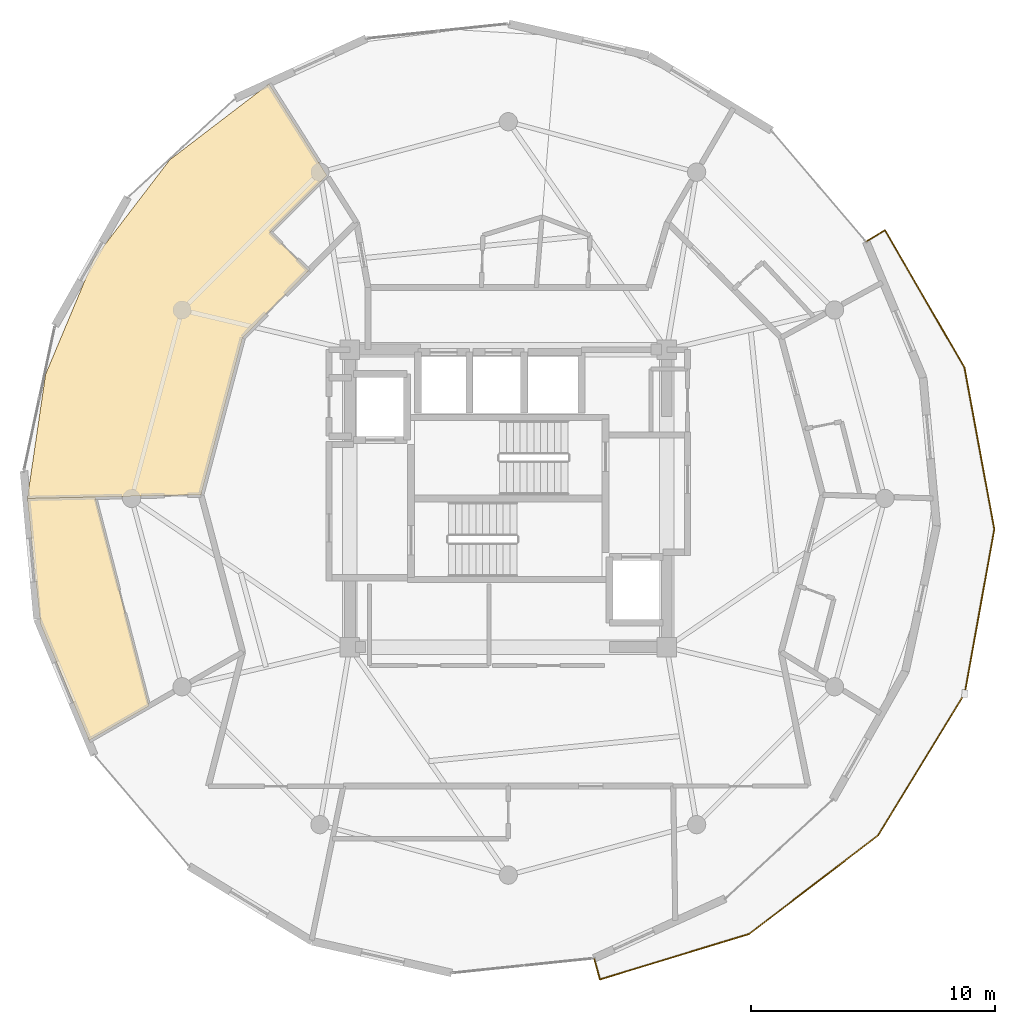
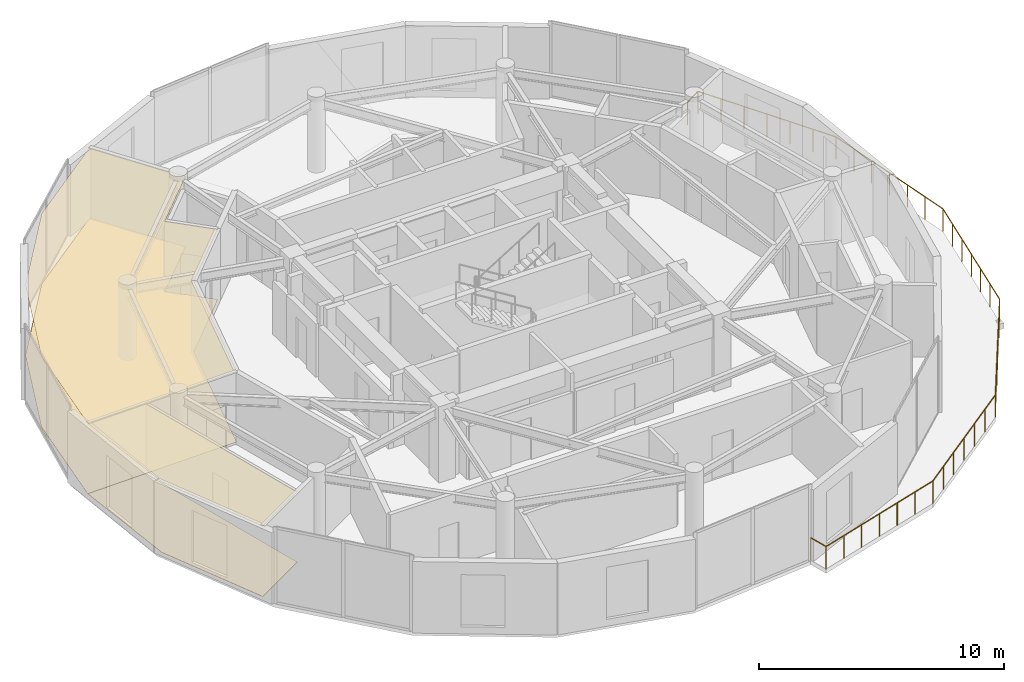
# One storey, part 21 of 22: 4 coverings, 1 railing.
"""IFC4 building model written with IfcOpenShell, lengths in metres."""

from ifc_helpers import new_model, si_unit, direction, frame, origin, origin_2d, place, context, subcontext, project, spatial, polyline, circle, outline, extrude, material, layer, layer_set, type_object, element, save


model = new_model("IFC4")

# Units and contexts
model_context = context("Model", 3, precision=1e-05, world=origin(), true_north=direction((0.0, 1.0)))
body_context = subcontext(model_context, "Body", "Model", "MODEL_VIEW")
ifc_project = project(units=[si_unit("LENGTHUNIT", "METRE"), si_unit("AREAUNIT", "SQUARE_METRE"), si_unit("VOLUMEUNIT", "CUBIC_METRE"), si_unit("PLANEANGLEUNIT", "RADIAN"), si_unit("MASSUNIT", "GRAM", prefix="KILO")], contexts=[model_context])

# Site, building, storey
site_placement = place(None, origin())
site = spatial("IfcSite", under=ifc_project, at=site_placement, CompositionType="ELEMENT")
building_placement = place(site_placement, origin())
building = spatial("IfcBuilding", under=site, at=building_placement, Name="Solvirekh Grand Hotel", CompositionType="ELEMENT")
storey_placement = place(building_placement, frame((0.0, 0.0, 289.60009765625)))
storey = spatial("IfcBuildingStorey", under=building, at=storey_placement, Name="L75", CompositionType="ELEMENT", Elevation=289.60009765625)

# Coverings
ifc_material_1 = material(Name="Acoustic Mineral Ceiling Tile")
ifc_layer_1 = layer(ifc_material_1, 0.02490234375)
ifc_layer_set_1 = layer_set([ifc_layer_1], Name="Acoustic Mineral Ceiling Tile")
covering_type_1 = type_object("IfcCoveringType", Name="Cov_Ceiling_Acoustic", PredefinedType="CEILING", material=ifc_layer_set_1)
covering_1_placement = place(storey_placement, frame((0.0, 0.0, 3.52001953125)))
element("IfcCovering", 1, at=covering_1_placement, inside=storey, type_object=covering_type_1, Name="L75 Diplomatic Suite 7703 Living Room acoustic ceiling", PredefinedType="CEILING", context=body_context, shape_type="SweptSolid", body=[
    extrude(outline(polyline([(-9.764892578125, 10.9169921875), (-7.445068359375, 13.251953125), (-9.81396484375, 16.998046875), (-13.884033203125, 13.884033203125), (-16.9970703125, 9.81298828125), (-18.97705078125, 5.0849609375), (-19.722900390625, 0.0), (-12.60009765625, 0.14990234375), (-10.89208984375, 6.60009765625), (-8.18505859375, 9.339111328125), (-9.764892578125, 10.9169921875)])), origin(), (0.0, 0.0, 1.0), 0.017822265625),
])
covering_2_placement = place(storey_placement, frame((0.0, 0.0, 3.52001953125)))
element("IfcCovering", 2, at=covering_2_placement, inside=storey, type_object=covering_type_1, Name="L75 Diplomatic Suite 7703 Master Bedroom acoustic ceiling", PredefinedType="CEILING", context=body_context, shape_type="SweptSolid", body=[
    extrude(outline(polyline([(-19.722900390625, 0.0), (-19.18701171875, -5.14111328125), (-17.18896484375, -9.924072265625), (-14.73291015625, -8.510986328125), (-16.945068359375, 0.05810546875), (-19.722900390625, 0.0)])), origin(), (0.0, 0.0, 1.0), 0.017822265625),
])
ifc_material_2 = material(Name="Porcelain Stoneware Flooring", Category="masonry")
ifc_layer_2 = layer(ifc_material_2, 0.030029296875)
ifc_layer_set_2 = layer_set([ifc_layer_2], Name="Porcelain Stoneware Flooring")
covering_type_2 = type_object("IfcCoveringType", Name="Cov_Floor_Stone", PredefinedType="FLOORING", material=ifc_layer_set_2)
covering_3_placement = place(storey_placement, origin())
element("IfcCovering", 3, at=covering_3_placement, inside=storey, type_object=covering_type_2, Name="L75 Diplomatic Suite 7703 Living Room polished granite flooring", PredefinedType="FLOORING", context=body_context, shape_type="SweptSolid", body=[
    extrude(outline(polyline([(-9.764892578125, 10.9169921875), (-7.445068359375, 13.251953125), (-9.81396484375, 16.998046875), (-13.884033203125, 13.884033203125), (-16.9970703125, 9.81298828125), (-18.97705078125, 5.0849609375), (-19.722900390625, 0.0), (-12.60009765625, 0.14990234375), (-10.89208984375, 6.60009765625), (-8.18505859375, 9.339111328125), (-9.764892578125, 10.9169921875)])), origin(), (0.0, 0.0, 1.0), 0.02001953125),
])
covering_4_placement = place(storey_placement, origin())
element("IfcCovering", 4, at=covering_4_placement, inside=storey, type_object=covering_type_2, Name="L75 Diplomatic Suite 7703 Master Bedroom polished granite flooring", PredefinedType="FLOORING", context=body_context, shape_type="SweptSolid", body=[
    extrude(outline(polyline([(-19.722900390625, 0.0), (-19.18701171875, -5.14111328125), (-17.18896484375, -9.924072265625), (-14.73291015625, -8.510986328125), (-16.945068359375, 0.05810546875), (-19.722900390625, 0.0)])), origin(), (0.0, 0.0, 1.0), 0.02001953125),
])

# Railing
ifc_material_3 = material(Name="Anodized Bronze Aluminium 6063-T6", Category="aluminium")
railing_type = type_object("IfcRailingType", Name="Guard_ExtGlass_1150", PredefinedType="BALUSTRADE", material=ifc_material_3)
railing_placement = place(storey_placement, frame((3.52099609375, -18.860107421875, 0.0)))
element("IfcRailing", 5, at=railing_placement, inside=storey, type_object=railing_type, Name="L75 balc perimeter glass balustrade", PredefinedType="BALUSTRADE", context=body_context, shape_type="SweptSolid", body=[
    extrude(circle(Radius=0.02392578125, at=origin_2d()), frame((0.0, 0.0, 1.1259765625), z_axis=(0.262474263469, -0.964938993417, 0.0), x_axis=(0.964938993417, 0.262474263469, 0.0)), (0.0, 0.0, 1.0), 0.8994140625),
    extrude(circle(Radius=0.02392578125, at=origin_2d()), frame((0.236083984375, -0.867919921875, 1.1259765625), z_axis=(0.956657231916, 0.291216312426, 0.0), x_axis=(-0.291216312426, 0.956657231916, 0.0)), (0.0, 0.0, 1.0), 6.39404296875),
    extrude(circle(Radius=0.02392578125, at=origin_2d()), frame((6.35302734375, 0.994140625, 1.1259765625), z_axis=(0.794599258003, 0.607134267837, 0.0), x_axis=(-0.607134267837, 0.794599258003, 0.0)), (0.0, 0.0, 1.0), 6.657470703125),
    extrude(circle(Radius=0.02392578125, at=origin_2d()), frame((11.64306640625, 5.0361328125, 1.1259765625), z_axis=(0.521531138608, 0.853232249427, 0.0), x_axis=(-0.853232249427, 0.521531138608, 0.0)), (0.0, 0.0, 1.0), 6.81640625),
    extrude(circle(Radius=0.02392578125, at=origin_2d()), frame((15.197998046875, 10.85205078125, 1.1259765625), z_axis=(0.177395354492, 0.984139669053, 0.0), x_axis=(-0.984139669053, 0.177395354492, 0.0)), (0.0, 0.0, 1.0), 6.849609375),
    extrude(circle(Radius=0.02392578125, at=origin_2d()), frame((16.4130859375, 17.593017578125, 1.1259765625), z_axis=(-0.181483936155, 0.983393909335, 0.0), x_axis=(-0.983393909335, -0.181483936155, 0.0)), (0.0, 0.0, 1.0), 6.7451171875),
    extrude(circle(Radius=0.02392578125, at=origin_2d()), frame((15.18896484375, 24.22607421875, 1.1259765625), z_axis=(-0.501101299434, 0.865388633913, 0.0), x_axis=(-0.865388633913, -0.501101299434, 0.0)), (0.0, 0.0, 1.0), 6.511474609375),
    extrude(circle(Radius=0.02392578125, at=origin_2d()), frame((11.926025390625, 29.861083984375, 1.1259765625), z_axis=(-0.85298680116, -0.521932483227, 0.0), x_axis=(0.521932483227, -0.85298680116, 0.0)), (0.0, 0.0, 1.0), 0.900390625),
    extrude(circle(Radius=0.02099609375, at=origin_2d()), origin(), (0.0, 0.0, 1.0), 1.101806640625),
    extrude(circle(Radius=0.02099609375, at=origin_2d()), frame((0.236083984375, -0.867919921875, 0.0)), (0.0, 0.0, 1.0), 1.101806640625),
    extrude(circle(Radius=0.02099609375, at=origin_2d()), frame((1.255615234375, -0.5576171875, 0.0)), (0.0, 0.0, 1.0), 1.101806640625),
    extrude(circle(Radius=0.02099609375, at=origin_2d()), frame((2.275146484375, -0.247314453125, 0.0)), (0.0, 0.0, 1.0), 1.101806640625),
    extrude(circle(Radius=0.02099609375, at=origin_2d()), frame((3.29443359375, 0.06298828125, 0.0)), (0.0, 0.0, 1.0), 1.101806640625),
    extrude(circle(Radius=0.02099609375, at=origin_2d()), frame((4.31396484375, 0.37353515625, 0.0)), (0.0, 0.0, 1.0), 1.101806640625),
    extrude(circle(Radius=0.02099609375, at=origin_2d()), frame((5.33349609375, 0.683837890625, 0.0)), (0.0, 0.0, 1.0), 1.101806640625),
    extrude(circle(Radius=0.02099609375, at=origin_2d()), frame((6.35302734375, 0.994140625, 0.0)), (0.0, 0.0, 1.0), 1.101806640625),
    extrude(circle(Radius=0.02099609375, at=origin_2d()), frame((7.234619140625, 1.667724609375, 0.0)), (0.0, 0.0, 1.0), 1.101806640625),
    extrude(circle(Radius=0.02099609375, at=origin_2d()), frame((8.116455078125, 2.341552734375, 0.0)), (0.0, 0.0, 1.0), 1.101806640625),
    extrude(circle(Radius=0.02099609375, at=origin_2d()), frame((8.998046875, 3.01513671875, 0.0)), (0.0, 0.0, 1.0), 1.101806640625),
    extrude(circle(Radius=0.02099609375, at=origin_2d()), frame((9.879638671875, 3.688720703125, 0.0)), (0.0, 0.0, 1.0), 1.101806640625),
    extrude(circle(Radius=0.02099609375, at=origin_2d()), frame((10.761474609375, 4.362548828125, 0.0)), (0.0, 0.0, 1.0), 1.101806640625),
    extrude(circle(Radius=0.02099609375, at=origin_2d()), frame((11.64306640625, 5.0361328125, 0.0)), (0.0, 0.0, 1.0), 1.101806640625),
    extrude(circle(Radius=0.02099609375, at=origin_2d()), frame((12.235595703125, 6.00537109375, 0.0)), (0.0, 0.0, 1.0), 1.101806640625),
    extrude(circle(Radius=0.02099609375, at=origin_2d()), frame((12.828125, 6.974853515625, 0.0)), (0.0, 0.0, 1.0), 1.101806640625),
    extrude(circle(Radius=0.02099609375, at=origin_2d()), frame((13.42041015625, 7.944091796875, 0.0)), (0.0, 0.0, 1.0), 1.101806640625),
    extrude(circle(Radius=0.02099609375, at=origin_2d()), frame((14.012939453125, 8.913330078125, 0.0)), (0.0, 0.0, 1.0), 1.101806640625),
    extrude(circle(Radius=0.02099609375, at=origin_2d()), frame((14.60546875, 9.8828125, 0.0)), (0.0, 0.0, 1.0), 1.101806640625),
    extrude(circle(Radius=0.02099609375, at=origin_2d()), frame((15.197998046875, 10.85205078125, 0.0)), (0.0, 0.0, 1.0), 1.101806640625),
    extrude(circle(Radius=0.02099609375, at=origin_2d()), frame((15.400390625, 11.9755859375, 0.0)), (0.0, 0.0, 1.0), 1.101806640625),
    extrude(circle(Radius=0.02099609375, at=origin_2d()), frame((15.60302734375, 13.09912109375, 0.0)), (0.0, 0.0, 1.0), 1.101806640625),
    extrude(circle(Radius=0.02099609375, at=origin_2d()), frame((15.8056640625, 14.22265625, 0.0)), (0.0, 0.0, 1.0), 1.101806640625),
    extrude(circle(Radius=0.02099609375, at=origin_2d()), frame((16.008056640625, 15.345947265625, 0.0)), (0.0, 0.0, 1.0), 1.101806640625),
    extrude(circle(Radius=0.02099609375, at=origin_2d()), frame((16.21044921875, 16.469482421875, 0.0)), (0.0, 0.0, 1.0), 1.101806640625),
    extrude(circle(Radius=0.02099609375, at=origin_2d()), frame((16.4130859375, 17.593017578125, 0.0)), (0.0, 0.0, 1.0), 1.101806640625),
    extrude(circle(Radius=0.02099609375, at=origin_2d()), frame((16.208984375, 18.698486328125, 0.0)), (0.0, 0.0, 1.0), 1.101806640625),
    extrude(circle(Radius=0.02099609375, at=origin_2d()), frame((16.005126953125, 19.803955078125, 0.0)), (0.0, 0.0, 1.0), 1.101806640625),
    extrude(circle(Radius=0.02099609375, at=origin_2d()), frame((15.801025390625, 20.90966796875, 0.0)), (0.0, 0.0, 1.0), 1.101806640625),
    extrude(circle(Radius=0.02099609375, at=origin_2d()), frame((15.596923828125, 22.01513671875, 0.0)), (0.0, 0.0, 1.0), 1.101806640625),
    extrude(circle(Radius=0.02099609375, at=origin_2d()), frame((15.39306640625, 23.12060546875, 0.0)), (0.0, 0.0, 1.0), 1.101806640625),
    extrude(circle(Radius=0.02099609375, at=origin_2d()), frame((15.18896484375, 24.22607421875, 0.0)), (0.0, 0.0, 1.0), 1.101806640625),
    extrude(circle(Radius=0.02099609375, at=origin_2d()), frame((14.64501953125, 25.165283203125, 0.0)), (0.0, 0.0, 1.0), 1.101806640625),
    extrude(circle(Radius=0.02099609375, at=origin_2d()), frame((14.101318359375, 26.1044921875, 0.0)), (0.0, 0.0, 1.0), 1.101806640625),
    extrude(circle(Radius=0.02099609375, at=origin_2d()), frame((13.5576171875, 27.04345703125, 0.0)), (0.0, 0.0, 1.0), 1.101806640625),
    extrude(circle(Radius=0.02099609375, at=origin_2d()), frame((13.013671875, 27.982666015625, 0.0)), (0.0, 0.0, 1.0), 1.101806640625),
    extrude(circle(Radius=0.02099609375, at=origin_2d()), frame((12.4697265625, 28.921875, 0.0)), (0.0, 0.0, 1.0), 1.101806640625),
    extrude(circle(Radius=0.02099609375, at=origin_2d()), frame((11.926025390625, 29.861083984375, 0.0)), (0.0, 0.0, 1.0), 1.101806640625),
    extrude(circle(Radius=0.02099609375, at=origin_2d()), frame((11.157958984375, 29.39111328125, 0.0)), (0.0, 0.0, 1.0), 1.101806640625),
])

save(model, "model.ifc")
